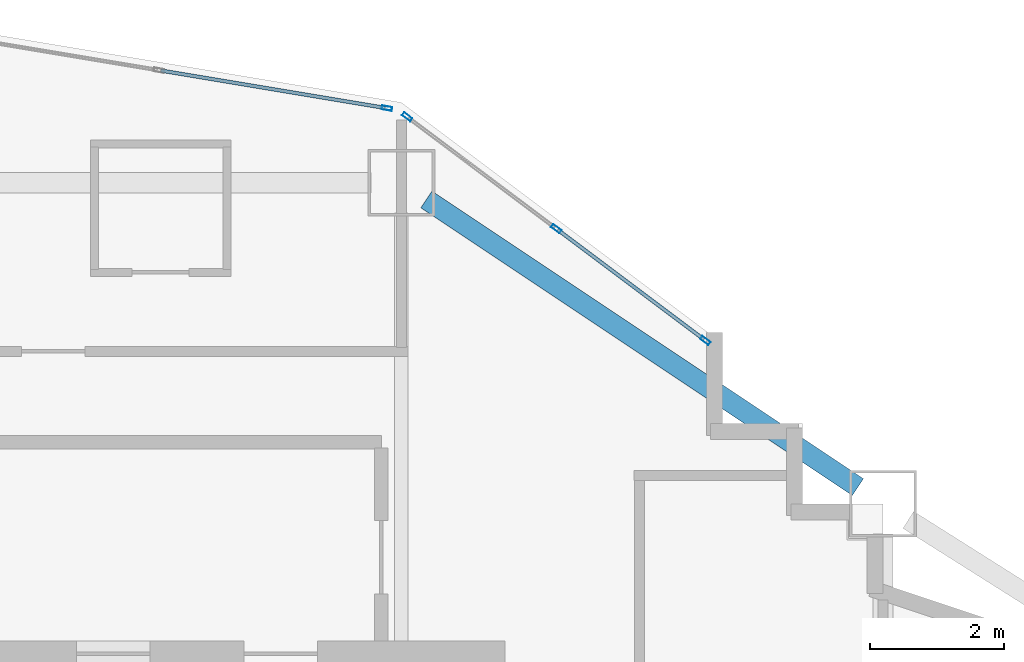
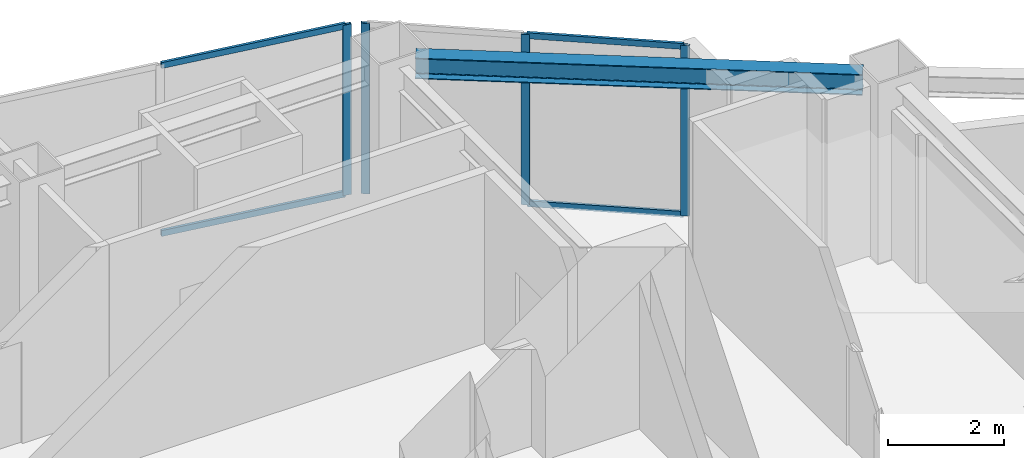
# One storey, part 3 of 14: 8 members, 1 beam, 2 elements without a shape of their own.
"""IFC4 building model written with IfcOpenShell, lengths in metres."""

from ifc_helpers import new_model, si_unit, direction, frame, origin, origin_2d, place, context, subcontext, project, spatial, hollow_rectangle, i_section, extrude, material, layer, layer_set, material_profile, profile_set, type_object, element, aggregate, save


model = new_model("IFC4")

# Units and contexts
model_context = context("Model", 3, precision=1e-05, world=origin(), true_north=direction((0.0, 1.0)))
body_context = subcontext(model_context, "Body", "Model", "MODEL_VIEW")
ifc_project = project(units=[si_unit("LENGTHUNIT", "METRE"), si_unit("AREAUNIT", "SQUARE_METRE"), si_unit("VOLUMEUNIT", "CUBIC_METRE"), si_unit("PLANEANGLEUNIT", "RADIAN"), si_unit("MASSUNIT", "GRAM", prefix="KILO")], contexts=[model_context])

# Site, building, storey
site_placement = place(None, origin())
site = spatial("IfcSite", under=ifc_project, at=site_placement, CompositionType="ELEMENT")
building_placement = place(site_placement, origin())
building = spatial("IfcBuilding", under=site, at=building_placement, Name="Haolan Belvedere Tower", CompositionType="ELEMENT")
storey_placement = place(building_placement, frame((0.0, 0.0, 98.39990234375)))
storey = spatial("IfcBuildingStorey", under=building, at=storey_placement, Name="L24", CompositionType="ELEMENT", Elevation=98.39990234375)

# Beam
ifc_material_1 = material(Name="Steel Q355B", Category="steel")
ifc_material_profile_1 = material_profile(ifc_material_1, i_section(OverallWidth=0.300048828125, OverallDepth=0.43994140625, WebThickness=0.010986328125, FlangeThickness=0.01806640625, FilletRadius=0.02392578125, at=origin_2d()), Name="Steel Q355B")
ifc_profile_set_1 = profile_set([ifc_material_profile_1], Name="Steel Q355B")
beam_type = type_object("IfcBeamType", Name="BM-HM440x300x11x18", PredefinedType="SPANDREL", material=ifc_profile_set_1)
beam_placement = place(storey_placement, frame((45.974365234375, 50.150390625, 3.380126953125), z_axis=(0.832050294338, -0.554700196225, 0.0), x_axis=(0.554700196225, 0.832050294338, 0.0)))
element("IfcBeam", 1, at=beam_placement, inside=storey, type_object=beam_type, Name="L24 spandrel girder MC-T3-N2-MC-T3-NE", PredefinedType="SPANDREL", context=body_context, shape_type="SweptSolid", body=[
    extrude(i_section(OverallWidth=0.300048828125, OverallDepth=0.43994140625, WebThickness=0.010986328125, FlangeThickness=0.01806640625, FilletRadius=0.02392578125, at=origin_2d()), origin(), (0.0, 0.0, 1.0), 7.75341796875),
])

# Curtain wall, members
ifc_material_2 = material(Name="Anodised champagne-silver aluminium 6063-T6 and Low-E glass", Category="aluminium")
ifc_layer = layer(ifc_material_2, 0.155029296875, Name="Anodised champagne-silver aluminium 6063-T6 and Low-E glass")
ifc_layer_set = layer_set([ifc_layer], Name="Anodised champagne-silver aluminium 6063-T6 and Low-E glass")
curtain_wall_type = type_object("IfcCurtainWallType", Name="CW-SYS-03", PredefinedType="NOTDEFINED", material=ifc_layer_set)
curtain_wall_1_placement = place(storey_placement, origin())
curtain_wall_1 = element("IfcCurtainWall", 2, at=curtain_wall_1_placement, inside=storey, type_object=curtain_wall_type, Name="L24 CW-SYS-03 ribbon curtain wall 26.1", PredefinedType="NOTDEFINED")
ifc_material_3 = material(Name="Anodised aluminium 6063-T6", Category="aluminium")
ifc_material_profile_2 = material_profile(ifc_material_3, hollow_rectangle(XDim=0.05810546875, YDim=0.155029296875, WallThickness=0.00390625, at=origin_2d()), Name="Anodised aluminium 6063-T6")
ifc_profile_set_2 = profile_set([ifc_material_profile_2], Name="Anodised aluminium 6063-T6")
member_type_1 = type_object("IfcMemberType", Name="CW-SYS-03-MUL", PredefinedType="MULLION", material=ifc_profile_set_2)
member_1_placement = place(storey_placement, frame((50.144775390625, 48.04150390625, 0.0), z_axis=(0.0, 0.0, 1.0), x_axis=(-0.599994316874, -0.800004262313, 0.0)))
member_1 = element("IfcMember", 3, at=member_1_placement, type_object=member_type_1, Name="CW-03 mullion 1", PredefinedType="MULLION", context=body_context, shape_type="SweptSolid", body=[
    extrude(hollow_rectangle(XDim=0.05810546875, YDim=0.155029296875, WallThickness=0.00390625, at=origin_2d()), origin(), (0.0, 0.0, 1.0), 3.60009765625),
])
member_2_placement = place(storey_placement, frame((47.915771484375, 49.713134765625, 0.0), z_axis=(0.0, 0.0, 1.0), x_axis=(-0.599994316874, -0.800004262313, 0.0)))
member_2 = element("IfcMember", 4, at=member_2_placement, type_object=member_type_1, Name="CW-03 mullion 2", PredefinedType="MULLION", context=body_context, shape_type="SweptSolid", body=[
    extrude(hollow_rectangle(XDim=0.05810546875, YDim=0.155029296875, WallThickness=0.00390625, at=origin_2d()), origin(), (0.0, 0.0, 1.0), 3.60009765625),
])
member_3_placement = place(storey_placement, frame((45.6865234375, 51.385009765625, 0.0), z_axis=(0.0, 0.0, 1.0), x_axis=(-0.599994316874, -0.800004262313, 0.0)))
member_3 = element("IfcMember", 5, at=member_3_placement, type_object=member_type_1, Name="CW-03 mullion 3", PredefinedType="MULLION", context=body_context, shape_type="SweptSolid", body=[
    extrude(hollow_rectangle(XDim=0.05810546875, YDim=0.155029296875, WallThickness=0.00390625, at=origin_2d()), origin(), (0.0, 0.0, 1.0), 3.60009765625),
])

# Curtain wall, member
curtain_wall_2_placement = place(storey_placement, origin())
curtain_wall_2 = element("IfcCurtainWall", 6, at=curtain_wall_2_placement, inside=storey, type_object=curtain_wall_type, Name="L24 CW-SYS-03 ribbon curtain wall 27.1", PredefinedType="NOTDEFINED")
member_4_placement = place(storey_placement, frame((45.384765625, 51.51416015625, 0.0), z_axis=(0.0, 0.0, 1.0), x_axis=(-0.16440364043, -0.9863931483, 0.0)))
member_4 = element("IfcMember", 7, at=member_4_placement, type_object=member_type_1, Name="CW-03 mullion 1", PredefinedType="MULLION", context=body_context, shape_type="SweptSolid", body=[
    extrude(hollow_rectangle(XDim=0.05810546875, YDim=0.155029296875, WallThickness=0.00390625, at=origin_2d()), origin(), (0.0, 0.0, 1.0), 3.60009765625),
])

# Member
ifc_material_profile_3 = material_profile(ifc_material_3, hollow_rectangle(XDim=0.053955078125, YDim=0.125, WallThickness=0.00390625, at=origin_2d()), Name="Anodised aluminium 6063-T6")
ifc_profile_set_3 = profile_set([ifc_material_profile_3], Name="Anodised aluminium 6063-T6")
member_type_2 = type_object("IfcMemberType", Name="CW-SYS-03-TRN", PredefinedType="USERDEFINED", material=ifc_profile_set_3)
member_5_placement = place(storey_placement, frame((50.12158203125, 48.058837890625, 0.027099609375), z_axis=(-0.8, 0.6, 0.0), x_axis=(-0.6, -0.8, 0.0)))
member_5 = element("IfcMember", 8, at=member_5_placement, type_object=member_type_2, Name="CW-03 transom 1.1", ObjectType="TRANSOM", PredefinedType="USERDEFINED", context=body_context, shape_type="SweptSolid", body=[
    extrude(hollow_rectangle(XDim=0.053955078125, YDim=0.125, WallThickness=0.00390625, at=origin_2d()), origin(), (0.0, 0.0, 1.0), 2.728271484375),
])

member_6_placement = place(storey_placement, frame((50.12158203125, 48.058837890625, 3.572998046875), z_axis=(-0.8, 0.6, 0.0), x_axis=(-0.6, -0.8, 0.0)))
member_6 = element("IfcMember", 9, at=member_6_placement, type_object=member_type_2, Name="CW-03 transom 1.2", ObjectType="TRANSOM", PredefinedType="USERDEFINED", context=body_context, shape_type="SweptSolid", body=[
    extrude(hollow_rectangle(XDim=0.053955078125, YDim=0.125, WallThickness=0.00390625, at=origin_2d()), origin(), (0.0, 0.0, 1.0), 2.728271484375),
])

aggregate(curtain_wall_1, [member_1, member_2, member_3, member_5, member_6])

member_7_placement = place(storey_placement, frame((45.356201171875, 51.51904296875, 0.027099609375), z_axis=(-0.986395865591, 0.16438733633, 0.0), x_axis=(-0.16438733633, -0.986395865591, 0.0)))
member_7 = element("IfcMember", 10, at=member_7_placement, type_object=member_type_2, Name="CW-03 transom 1.1", ObjectType="TRANSOM", PredefinedType="USERDEFINED", context=body_context, shape_type="SweptSolid", body=[
    extrude(hollow_rectangle(XDim=0.053955078125, YDim=0.125, WallThickness=0.00390625, at=origin_2d()), origin(), (0.0, 0.0, 1.0), 3.39794921875),
])

member_8_placement = place(storey_placement, frame((45.356201171875, 51.51904296875, 3.572998046875), z_axis=(-0.986395865591, 0.16438733633, 0.0), x_axis=(-0.16438733633, -0.986395865591, 0.0)))
member_8 = element("IfcMember", 11, at=member_8_placement, type_object=member_type_2, Name="CW-03 transom 1.2", ObjectType="TRANSOM", PredefinedType="USERDEFINED", context=body_context, shape_type="SweptSolid", body=[
    extrude(hollow_rectangle(XDim=0.053955078125, YDim=0.125, WallThickness=0.00390625, at=origin_2d()), origin(), (0.0, 0.0, 1.0), 3.39794921875),
])

aggregate(curtain_wall_2, [member_4, member_7, member_8])

save(model, "model.ifc")
